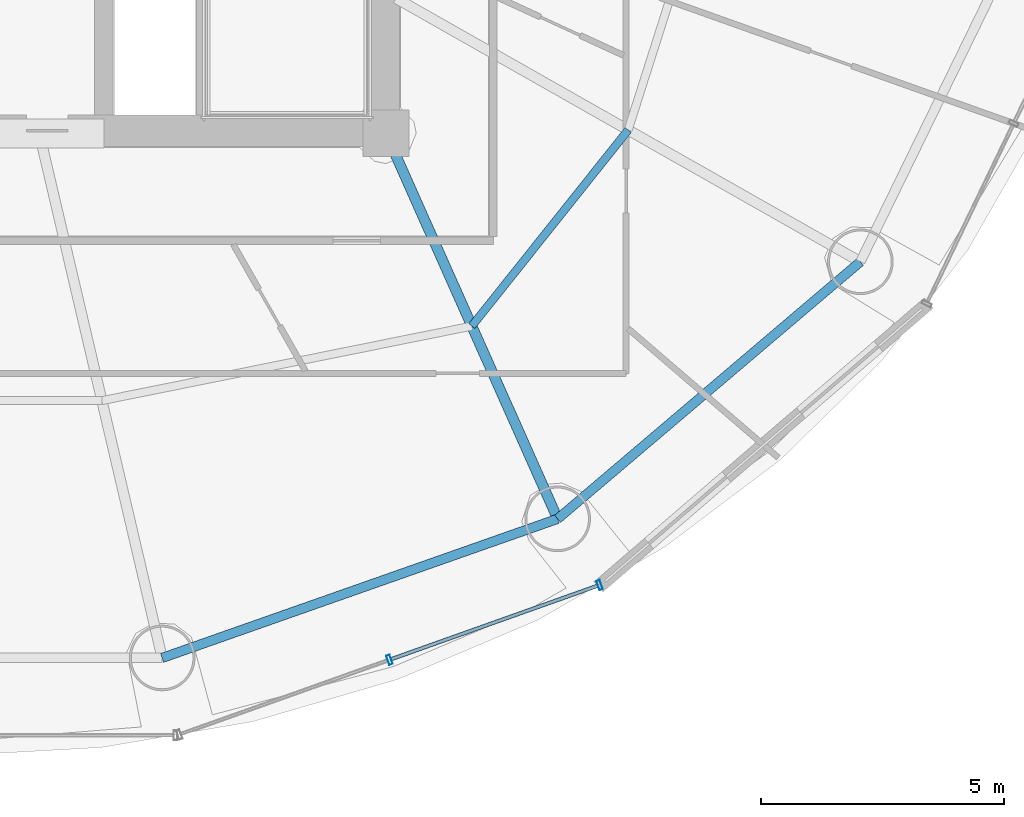
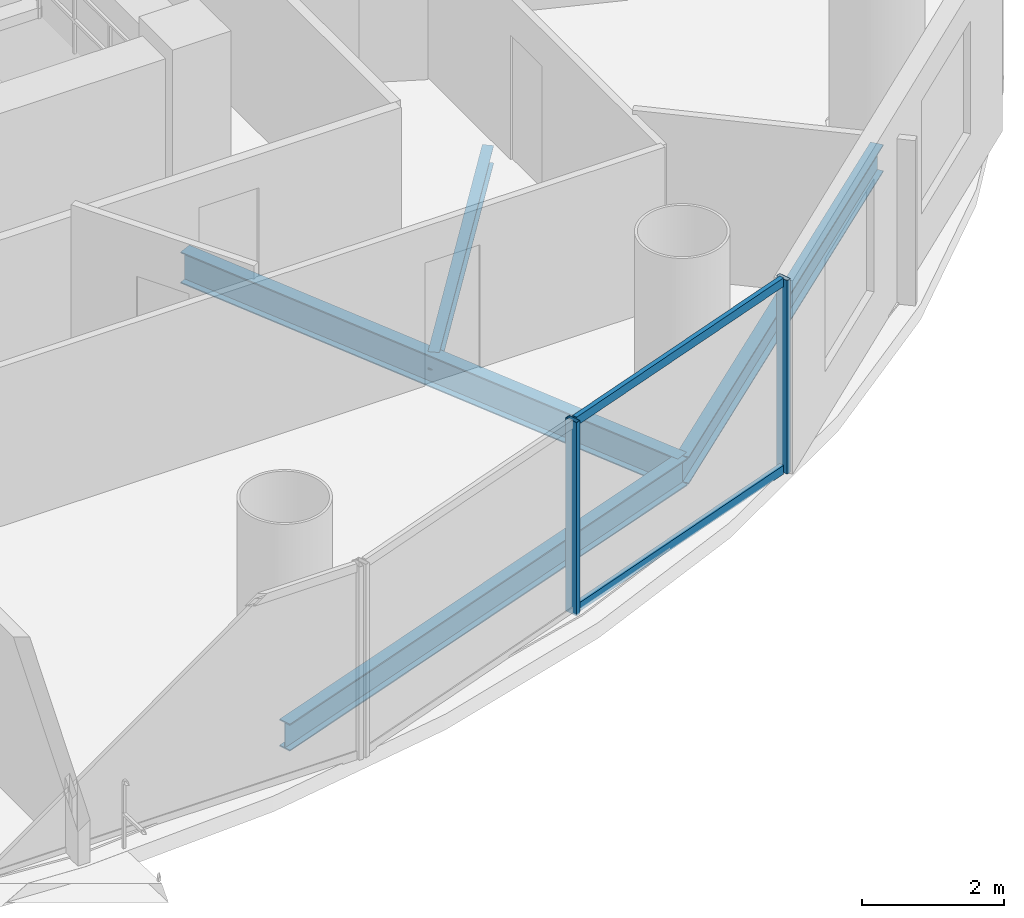
# One storey, part 9 of 26: 4 beams, 4 members, 1 element without a shape of its own.
"""IFC4 building model written with IfcOpenShell, lengths in metres."""

from ifc_helpers import new_model, si_unit, direction, frame, origin, origin_2d, place, context, subcontext, project, spatial, hollow_rectangle, i_section, extrude, source, transform, mapped, material, material_profile, profile_set, type_object, element, aggregate, save


model = new_model("IFC4")

# Units and contexts
model_context = context("Model", 3, precision=1e-05, world=origin(), true_north=direction((-0.2419218956, 0.970295726276)))
body_context = subcontext(model_context, "Body", "Model", "MODEL_VIEW")
ifc_project = project(units=[si_unit("LENGTHUNIT", "METRE"), si_unit("AREAUNIT", "SQUARE_METRE"), si_unit("VOLUMEUNIT", "CUBIC_METRE"), si_unit("PLANEANGLEUNIT", "RADIAN"), si_unit("MASSUNIT", "GRAM", prefix="KILO")], contexts=[model_context])

# Site, building, storey
site_placement = place(None, origin())
site = spatial("IfcSite", under=ifc_project, at=site_placement, CompositionType="ELEMENT")
building_placement = place(site_placement, origin())
building = spatial("IfcBuilding", under=site, at=building_placement, Name="Cobrevalo Terracotta Tower", CompositionType="ELEMENT")
storey_placement = place(building_placement, frame((0.0, 0.0, 171.39990234375)))
storey = spatial("IfcBuildingStorey", under=building, at=storey_placement, Name="L45", CompositionType="ELEMENT", Elevation=171.39990234375)

# Beams
ifc_material_1 = material(Name="Steel S355", Category="steel")
ifc_material_profile_1 = material_profile(ifc_material_1, i_section(OverallWidth=0.2109375, OverallDepth=0.5390625, WebThickness=0.01171875, FlangeThickness=0.018798828125, at=origin_2d()), Name="W 530x109")
ifc_profile_set_1 = profile_set([ifc_material_profile_1], Name="Steel S355")
beam_type_1 = type_object("IfcBeamType", Name="Structural Beam W 530x109 (Steel S355)", PredefinedType="BEAM", material=ifc_profile_set_1)
beam_1_placement = place(storey_placement, frame((50.528076171875, 10.87744140625, -0.539306640625), z_axis=(-0.406804395691, 0.913515289224, 0.0), x_axis=(-0.913515289224, -0.406804395691, 0.0)))
element("IfcBeam", 1, at=beam_1_placement, inside=storey, type_object=beam_type_1, Name="L45 radial floor girder 14", PredefinedType="BEAM", context=body_context, shape_type="SweptSolid", body=[
    extrude(i_section(OverallWidth=0.2109375, OverallDepth=0.5390625, WebThickness=0.01171875, FlangeThickness=0.018798828125, at=origin_2d()), origin(), (0.0, 0.0, 1.0), 8.672607421875),
])
ifc_material_profile_2 = material_profile(ifc_material_1, i_section(OverallWidth=0.1650390625, OverallDepth=0.31005859375, WebThickness=0.005859375, FlangeThickness=0.009765625, at=origin_2d()), Name="W 310x38.7")
ifc_profile_set_2 = profile_set([ifc_material_profile_2], Name="Steel S355")
beam_type_2 = type_object("IfcBeamType", Name="Structural Joist W 310x38.7 (Steel S355)", PredefinedType="JOIST", material=ifc_profile_set_2)
beam_2_placement = place(storey_placement, frame((48.76416015625, 14.838623046875, -0.4248046875), z_axis=(0.623382939397, 0.781916690492, 0.0), x_axis=(-0.781916690492, 0.623382939397, 0.0)))
element("IfcBeam", 2, at=beam_2_placement, inside=storey, type_object=beam_type_2, Name="L45 circumferential secondary floor joist 14", PredefinedType="JOIST", context=body_context, shape_type="SweptSolid", body=[
    extrude(i_section(OverallWidth=0.1650390625, OverallDepth=0.31005859375, WebThickness=0.005859375, FlangeThickness=0.009765625, at=origin_2d()), origin(), (0.0, 0.0, 1.0), 5.154296875),
])
ifc_material_profile_3 = material_profile(ifc_material_1, i_section(OverallWidth=0.194091796875, OverallDepth=0.468994140625, WebThickness=0.011474609375, FlangeThickness=0.0205078125, at=origin_2d()), Name="W 460x106")
ifc_profile_set_3 = profile_set([ifc_material_profile_3], Name="Steel S355")
beam_type_3 = type_object("IfcBeamType", Name="Structural Spandrel W 460x106 (Steel S355)", PredefinedType="SPANDREL", material=ifc_profile_set_3)
beam_3_placement = place(storey_placement, frame((42.399169921875, 8.01806640625, -0.50439453125), z_axis=(0.943341298492, 0.331824041565, 0.0), x_axis=(-0.331824041565, 0.943341298492, 0.0)))
element("IfcBeam", 3, at=beam_3_placement, inside=storey, type_object=beam_type_3, Name="L45 perimeter ring spandrel 13", PredefinedType="SPANDREL", context=body_context, shape_type="SweptSolid", body=[
    extrude(i_section(OverallWidth=0.194091796875, OverallDepth=0.468994140625, WebThickness=0.011474609375, FlangeThickness=0.0205078125, at=origin_2d()), origin(), (0.0, 0.0, 1.0), 8.6171875),
])
beam_4_placement = place(storey_placement, frame((50.528076171875, 10.87744140625, -0.50439453125), z_axis=(0.762240337798, 0.647294112003, 0.0), x_axis=(-0.647294112003, 0.762240337798, 0.0)))
element("IfcBeam", 4, at=beam_4_placement, inside=storey, type_object=beam_type_3, Name="L45 perimeter ring spandrel 14", PredefinedType="SPANDREL", context=body_context, shape_type="SweptSolid", body=[
    extrude(i_section(OverallWidth=0.194091796875, OverallDepth=0.468994140625, WebThickness=0.011474609375, FlangeThickness=0.0205078125, at=origin_2d()), origin(), (0.0, 0.0, 1.0), 8.162353515625),
])

# Curtain wall, members
ifc_material_2 = material(Name="Anodized aluminium", Category="aluminium")
curtain_wall_type = type_object("IfcCurtainWallType", Name="Mid-tower high-wind unitised curtain wall CW-U2", PredefinedType="NOTDEFINED", material=ifc_material_2)
curtain_wall_placement = place(storey_placement, origin())
curtain_wall = element("IfcCurtainWall", 5, at=curtain_wall_placement, inside=storey, type_object=curtain_wall_type, Name="L45 curtain wall CW-L45-S13", PredefinedType="NOTDEFINED")
ifc_material_profile_4 = material_profile(ifc_material_2, hollow_rectangle(XDim=0.074951171875, YDim=0.199951171875, WallThickness=0.0048828125, at=origin_2d()), Name="CWM 75x200")
ifc_profile_set_4 = profile_set([ifc_material_profile_4], Name="Anodized aluminium")
member_type_1 = type_object("IfcMemberType", Name="Lower/mid tower unitised mullion 75x200", PredefinedType="MULLION", material=ifc_profile_set_4)
shared_shape_1 = source(origin(), body_context, "Body", "SweptSolid", [
    extrude(hollow_rectangle(XDim=0.074951171875, YDim=0.199951171875, WallThickness=0.0048828125, at=origin_2d()), origin(), (0.0, 0.0, 1.0), 3.330078125),
])
member_1_placement = place(storey_placement, frame((47.07177734375, 7.979736328125, 0.0), z_axis=(0.0, 0.0, 1.0), x_axis=(0.942098428897, 0.335336473217, 0.0)))
member_1 = element("IfcMember", 6, at=member_1_placement, type_object=member_type_1, Name="CW-L45-S13 vertical mullion 02", PredefinedType="MULLION", context=body_context, shape_type="MappedRepresentation", body=[
    mapped(shared_shape_1, transform((0.0, 0.0, 0.0), scale=1.0)),
])
member_2_placement = place(storey_placement, frame((51.390380859375, 9.516845703125, 0.0), z_axis=(0.0, 0.0, 1.0), x_axis=(0.942098428897, 0.335336473217, 0.0)))
member_2 = element("IfcMember", 7, at=member_2_placement, type_object=member_type_1, Name="CW-L45-S13 vertical mullion 03", PredefinedType="MULLION", context=body_context, shape_type="MappedRepresentation", body=[
    mapped(shared_shape_1, transform((0.0, 0.0, 0.0), scale=1.0)),
])
ifc_material_profile_5 = material_profile(ifc_material_2, hollow_rectangle(XDim=0.074951171875, YDim=0.14990234375, WallThickness=0.00439453125, at=origin_2d()), Name="CWT 75x150")
ifc_profile_set_5 = profile_set([ifc_material_profile_5], Name="Anodized aluminium")
member_type_2 = type_object("IfcMemberType", Name="Tower unitised aluminium transom 75x150", PredefinedType="USERDEFINED", material=ifc_profile_set_5)
shared_shape_2 = source(origin(), body_context, "Body", "SweptSolid", [
    extrude(hollow_rectangle(XDim=0.074951171875, YDim=0.14990234375, WallThickness=0.00439453125, at=origin_2d()), origin(), (0.0, 0.0, 1.0), 4.504150390625),
])
member_3_placement = place(storey_placement, frame((47.109375, 7.9931640625, 0.050048828125), z_axis=(0.942093344241, 0.335350757771, 0.0), x_axis=(-0.335350757771, 0.942093344241, 0.0)))
member_3 = element("IfcMember", 8, at=member_3_placement, type_object=member_type_2, Name="CW-L45-S13 transom B02-T1", ObjectType="TRANSOM", PredefinedType="USERDEFINED", context=body_context, shape_type="MappedRepresentation", body=[
    mapped(shared_shape_2, transform((0.0, 0.0, 0.0), scale=1.0)),
])
member_4_placement = place(storey_placement, frame((47.109375, 7.9931640625, 3.280029296875), z_axis=(0.942093344241, 0.335350757771, 0.0), x_axis=(-0.335350757771, 0.942093344241, 0.0)))
member_4 = element("IfcMember", 9, at=member_4_placement, type_object=member_type_2, Name="CW-L45-S13 transom B02-T2", ObjectType="TRANSOM", PredefinedType="USERDEFINED", context=body_context, shape_type="MappedRepresentation", body=[
    mapped(shared_shape_2, transform((0.0, 0.0, 0.0), scale=1.0)),
])
aggregate(curtain_wall, [member_1, member_2, member_3, member_4])

save(model, "model.ifc")
